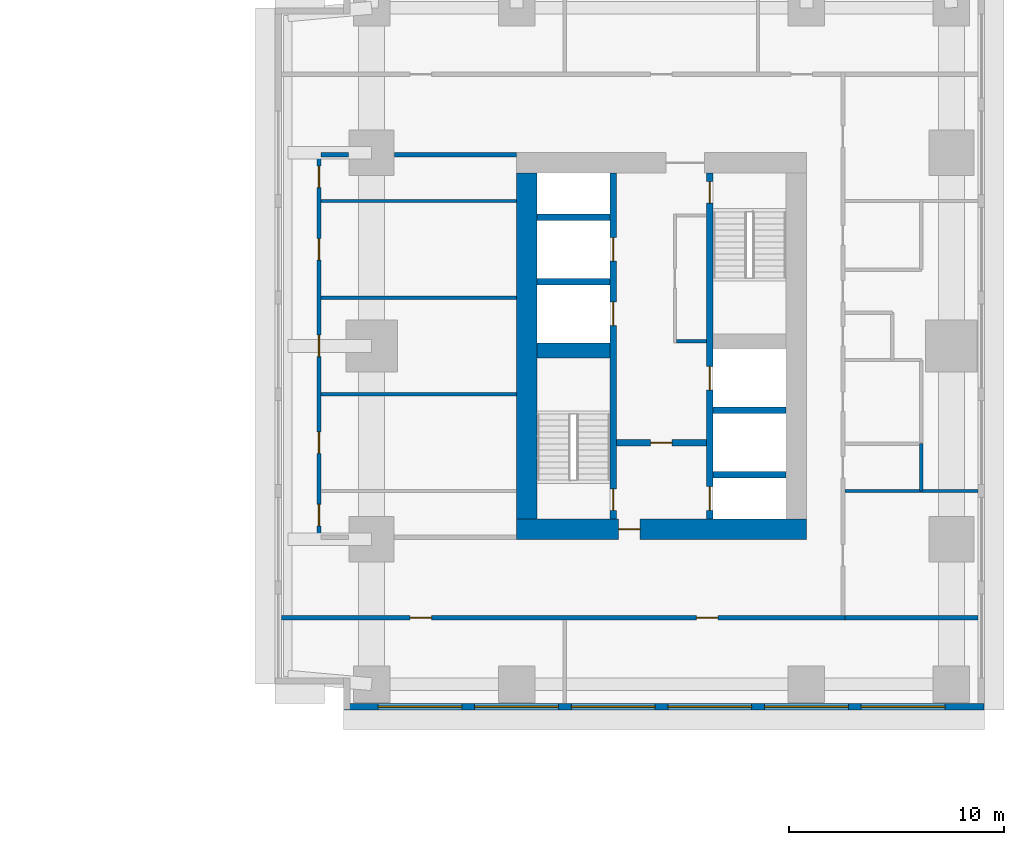
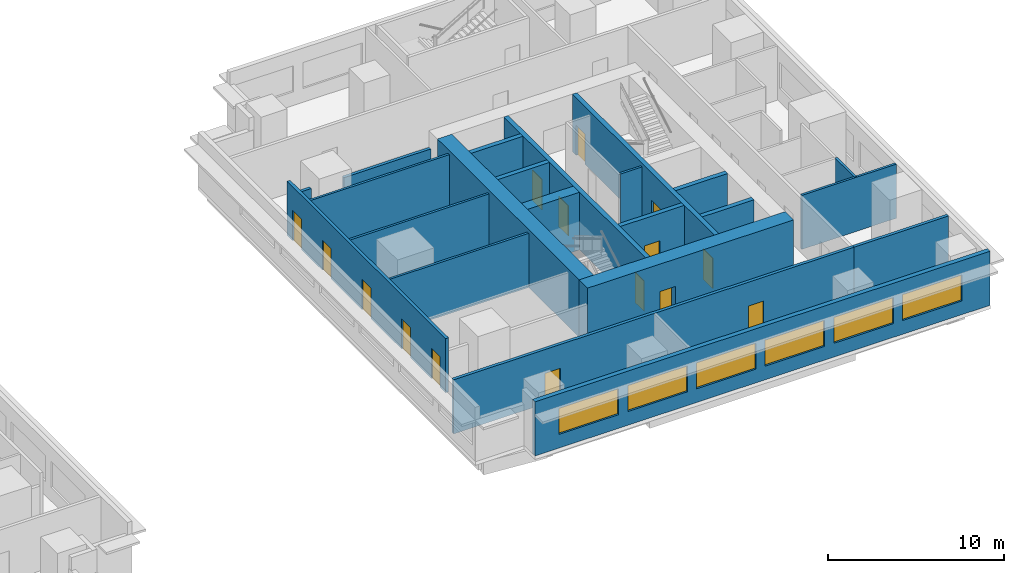
# One storey, part 6 of 11: 22 walls, 15 doors, 6 windows, 21 openings.
"""IFC4 building model written with IfcOpenShell, lengths in metres."""

from ifc_helpers import new_model, si_unit, direction, frame, frame_2d, origin, place, context, subcontext, project, spatial, rectangle, extrude, material, layer, layer_set, type_object, element, fill, save


model = new_model("IFC4")

# Units and contexts
model_context = context("Model", 3, precision=1e-05, world=origin(), true_north=direction((0.0, 1.0)))
body_context = subcontext(model_context, "Body", "Model", "MODEL_VIEW")
ifc_project = project(units=[si_unit("LENGTHUNIT", "METRE"), si_unit("AREAUNIT", "SQUARE_METRE"), si_unit("VOLUMEUNIT", "CUBIC_METRE"), si_unit("PLANEANGLEUNIT", "RADIAN"), si_unit("MASSUNIT", "GRAM", prefix="KILO")], contexts=[model_context])

# Site, building, storey
site_placement = place(None, origin())
site = spatial("IfcSite", under=ifc_project, at=site_placement, CompositionType="ELEMENT")
building_placement = place(site_placement, origin())
building = spatial("IfcBuilding", under=site, at=building_placement, Name="Namib Vertical Campus", CompositionType="ELEMENT")
storey_placement = place(building_placement, frame((0.0, 0.0, 85.0)))
storey = spatial("IfcBuildingStorey", under=building, at=storey_placement, Name="L19", CompositionType="ELEMENT", Elevation=85.0)

# Wall, openings, doors
ifc_material_1 = material(Name="Concrete C60/75", Category="concrete")
ifc_layer_1 = layer(ifc_material_1, 0.300048828125)
ifc_layer_set_1 = layer_set([ifc_layer_1], Name="Concrete C60/75")
wall_type_1 = type_object("IfcWallType", Name="Core inner wall 300", PredefinedType="SHEAR", material=ifc_layer_set_1)
wall_1_placement = place(storey_placement, frame((78.75, 12.199951171875, 0.0), z_axis=(0.0, 0.0, 1.0), x_axis=(0.0, 1.0, 0.0)))
wall_1 = element("IfcWall", 1, at=wall_1_placement, inside=storey, type_object=wall_type_1, Name="Core inner wall B L19 W1", PredefinedType="SHEAR", context=body_context, shape_type="SweptSolid", body=[
    extrude(rectangle(XDim=16.10009765625, YDim=0.300048828125, at=frame_2d((8.050048828125, 0.0))), origin(), (0.0, 0.0, 1.0), 4.0),
])
opening_1_placement = place(wall_1_placement, frame((0.39990234375, 0.0, 0.0)))
opening_1 = element("IfcOpeningElement", 2, at=opening_1_placement, cuts=wall_1, Name="Opening FD1", PredefinedType="OPENING", context=body_context, shape_type="SweptSolid", body=[
    extrude(rectangle(XDim=1.0, YDim=2.10009765625, at=frame_2d((0.5, 1.050048828125))), frame((0.0, 0.159912109375, 0.0), z_axis=(0.0, -1.0, 0.0), x_axis=(1.0, 0.0, 0.0)), (0.0, 0.0, 1.0), 0.320068359375),
])
opening_2_placement = place(wall_1_placement, frame((9.0, 0.0, 0.0)))
opening_2 = element("IfcOpeningElement", 3, at=opening_2_placement, cuts=wall_1, Name="Opening LD1", PredefinedType="OPENING", context=body_context, shape_type="SweptSolid", body=[
    extrude(rectangle(XDim=1.10009765625, YDim=2.10009765625, at=frame_2d((0.550048828125, 1.050048828125))), frame((0.0, 0.159912109375, 0.0), z_axis=(0.0, -1.0, 0.0), x_axis=(1.0, 0.0, 0.0)), (0.0, 0.0, 1.0), 0.320068359375),
])
opening_3_placement = place(wall_1_placement, frame((12.0, 0.0, 0.0)))
opening_3 = element("IfcOpeningElement", 4, at=opening_3_placement, cuts=wall_1, Name="Opening LD1", PredefinedType="OPENING", context=body_context, shape_type="SweptSolid", body=[
    extrude(rectangle(XDim=1.10009765625, YDim=2.10009765625, at=frame_2d((0.550048828125, 1.050048828125))), frame((0.0, 0.159912109375, 0.0), z_axis=(0.0, -1.0, 0.0), x_axis=(1.0, 0.0, 0.0)), (0.0, 0.0, 1.0), 0.320068359375),
])
ifc_material_2 = material(Name="Steel fire door", Category="steel")
door_type_1 = type_object("IfcDoorType", Name="Fire door 1000x2100", OperationType="SINGLE_SWING_RIGHT", PredefinedType="DOOR", material=ifc_material_2)
door_1_placement = place(opening_1_placement, origin())
door_1 = element("IfcDoor", 5, at=door_1_placement, inside=storey, type_object=door_type_1, Name="Stair door FD1 B L19 S1", OperationType="SINGLE_SWING_LEFT", OverallHeight=2.10009765625, OverallWidth=1.0, PredefinedType="DOOR", context=body_context, shape_type="SweptSolid", body=[
    extrude(rectangle(XDim=1.0, YDim=2.10009765625, at=frame_2d((0.5, 1.050048828125))), frame((0.0, 0.02490234375, 0.0), z_axis=(0.0, -1.0, 0.0), x_axis=(1.0, 0.0, 0.0)), (0.0, 0.0, 1.0), 0.050048828125),
])
fill(opening_1, door_1)
ifc_material_3 = material(Name="Stainless steel lift door", Category="steel")
door_type_2 = type_object("IfcDoorType", Name="Lift landing door 1100x2100", OperationType="DOUBLE_DOOR_SLIDING", PredefinedType="DOOR", material=ifc_material_3)
door_2_placement = place(opening_2_placement, origin())
door_2 = element("IfcDoor", 6, at=door_2_placement, inside=storey, type_object=door_type_2, Name="Lift landing door LD1 B-P1 L19", OperationType="DOUBLE_DOOR_SLIDING", OverallHeight=2.10009765625, OverallWidth=1.10009765625, PredefinedType="DOOR", context=body_context, shape_type="SweptSolid", body=[
    extrude(rectangle(XDim=1.10009765625, YDim=2.10009765625, at=frame_2d((0.550048828125, 1.050048828125))), frame((0.0, 0.02490234375, 0.0), z_axis=(0.0, -1.0, 0.0), x_axis=(1.0, 0.0, 0.0)), (0.0, 0.0, 1.0), 0.050048828125),
])
fill(opening_2, door_2)
door_3_placement = place(opening_3_placement, origin())
door_3 = element("IfcDoor", 7, at=door_3_placement, inside=storey, type_object=door_type_2, Name="Lift landing door LD1 B-P2 L19", OperationType="DOUBLE_DOOR_SLIDING", OverallHeight=2.10009765625, OverallWidth=1.10009765625, PredefinedType="DOOR", context=body_context, shape_type="SweptSolid", body=[
    extrude(rectangle(XDim=1.10009765625, YDim=2.10009765625, at=frame_2d((0.550048828125, 1.050048828125))), frame((0.0, 0.02490234375, 0.0), z_axis=(0.0, -1.0, 0.0), x_axis=(1.0, 0.0, 0.0)), (0.0, 0.0, 1.0), 0.050048828125),
])
fill(opening_3, door_3)

wall_2_placement = place(storey_placement, frame((83.25, 12.199951171875, 0.0), z_axis=(0.0, 0.0, 1.0), x_axis=(0.0, 1.0, 0.0)))
wall_2 = element("IfcWall", 8, at=wall_2_placement, inside=storey, type_object=wall_type_1, Name="Core inner wall B L19 W2", PredefinedType="SHEAR", context=body_context, shape_type="SweptSolid", body=[
    extrude(rectangle(XDim=16.10009765625, YDim=0.300048828125, at=frame_2d((8.050048828125, 0.0))), origin(), (0.0, 0.0, 1.0), 4.0),
])
opening_4_placement = place(wall_2_placement, frame((14.699951171875, 0.0, 0.0)))
opening_4 = element("IfcOpeningElement", 9, at=opening_4_placement, cuts=wall_2, Name="Opening FD1", PredefinedType="OPENING", context=body_context, shape_type="SweptSolid", body=[
    extrude(rectangle(XDim=1.0, YDim=2.10009765625, at=frame_2d((0.5, 1.050048828125))), frame((0.0, 0.159912109375, 0.0), z_axis=(0.0, -1.0, 0.0), x_axis=(1.0, 0.0, 0.0)), (0.0, 0.0, 1.0), 0.320068359375),
])
opening_5_placement = place(wall_2_placement, frame((0.39990234375, 0.0, 0.0)))
opening_5 = element("IfcOpeningElement", 10, at=opening_5_placement, cuts=wall_2, Name="Opening LD1", PredefinedType="OPENING", context=body_context, shape_type="SweptSolid", body=[
    extrude(rectangle(XDim=1.10009765625, YDim=2.10009765625, at=frame_2d((0.550048828125, 1.050048828125))), frame((0.0, 0.159912109375, 0.0), z_axis=(0.0, -1.0, 0.0), x_axis=(1.0, 0.0, 0.0)), (0.0, 0.0, 1.0), 0.320068359375),
])
opening_6_placement = place(wall_2_placement, frame((6.0, 0.0, 0.0)))
opening_6 = element("IfcOpeningElement", 11, at=opening_6_placement, cuts=wall_2, Name="Opening LD1", PredefinedType="OPENING", context=body_context, shape_type="SweptSolid", body=[
    extrude(rectangle(XDim=1.10009765625, YDim=2.10009765625, at=frame_2d((0.550048828125, 1.050048828125))), frame((0.0, 0.159912109375, 0.0), z_axis=(0.0, -1.0, 0.0), x_axis=(1.0, 0.0, 0.0)), (0.0, 0.0, 1.0), 0.320068359375),
])
door_4_placement = place(opening_4_placement, frame((1.0, 0.0, 0.0), z_axis=(0.0, 0.0, 1.0), x_axis=(-1.0, 0.0, 0.0)))
door_4 = element("IfcDoor", 12, at=door_4_placement, inside=storey, type_object=door_type_1, Name="Stair door FD1 B L19 S2", OperationType="SINGLE_SWING_LEFT", OverallHeight=2.10009765625, OverallWidth=1.0, PredefinedType="DOOR", context=body_context, shape_type="SweptSolid", body=[
    extrude(rectangle(XDim=1.0, YDim=2.10009765625, at=frame_2d((0.5, 1.050048828125))), frame((0.0, 0.02490234375, 0.0), z_axis=(0.0, -1.0, 0.0), x_axis=(1.0, 0.0, 0.0)), (0.0, 0.0, 1.0), 0.050048828125),
])
fill(opening_4, door_4)
door_5_placement = place(opening_5_placement, origin())
door_5 = element("IfcDoor", 13, at=door_5_placement, inside=storey, type_object=door_type_2, Name="Lift landing door LD1 B-FL1 L19", OperationType="DOUBLE_DOOR_SLIDING", OverallHeight=2.10009765625, OverallWidth=1.10009765625, PredefinedType="DOOR", context=body_context, shape_type="SweptSolid", body=[
    extrude(rectangle(XDim=1.10009765625, YDim=2.10009765625, at=frame_2d((0.550048828125, 1.050048828125))), frame((0.0, 0.02490234375, 0.0), z_axis=(0.0, -1.0, 0.0), x_axis=(1.0, 0.0, 0.0)), (0.0, 0.0, 1.0), 0.050048828125),
])
fill(opening_5, door_5)
door_6_placement = place(opening_6_placement, origin())
door_6 = element("IfcDoor", 14, at=door_6_placement, inside=storey, type_object=door_type_2, Name="Lift landing door LD1 B-P5 L19", OperationType="DOUBLE_DOOR_SLIDING", OverallHeight=2.10009765625, OverallWidth=1.10009765625, PredefinedType="DOOR", context=body_context, shape_type="SweptSolid", body=[
    extrude(rectangle(XDim=1.10009765625, YDim=2.10009765625, at=frame_2d((0.550048828125, 1.050048828125))), frame((0.0, 0.02490234375, 0.0), z_axis=(0.0, -1.0, 0.0), x_axis=(1.0, 0.0, 0.0)), (0.0, 0.0, 1.0), 0.050048828125),
])
fill(opening_6, door_6)

# Wall, opening, door
wall_3_placement = place(storey_placement, frame((78.89990234375, 15.75, 0.0), z_axis=(0.0, 0.0, 1.0), x_axis=(1.0, 0.0, 0.0)))
wall_3 = element("IfcWall", 15, at=wall_3_placement, inside=storey, type_object=wall_type_1, Name="Core inner wall B L19 W4", PredefinedType="SHEAR", context=body_context, shape_type="SweptSolid", body=[
    extrude(rectangle(XDim=4.2001953125, YDim=0.300048828125, at=frame_2d((2.10009765625, 0.0))), origin(), (0.0, 0.0, 1.0), 4.0),
])
opening_7_placement = place(wall_3_placement, frame((1.60009765625, 0.0, 0.0)))
opening_7 = element("IfcOpeningElement", 16, at=opening_7_placement, cuts=wall_3, Name="Opening FD5", PredefinedType="OPENING", context=body_context, shape_type="SweptSolid", body=[
    extrude(rectangle(XDim=1.0, YDim=2.10009765625, at=frame_2d((0.5, 1.050048828125))), frame((0.0, 0.159912109375, 0.0), z_axis=(0.0, -1.0, 0.0), x_axis=(1.0, 0.0, 0.0)), (0.0, 0.0, 1.0), 0.320068359375),
])
ifc_material_4 = material(Name="Steel fire door", Category="steel")
door_type_3 = type_object("IfcDoorType", Name="Fire door 1000x2100 120 min", OperationType="SINGLE_SWING_RIGHT", PredefinedType="DOOR", material=ifc_material_4)
door_7_placement = place(opening_7_placement, frame((1.0, 0.0, 0.0), z_axis=(0.0, 0.0, 1.0), x_axis=(-1.0, 0.0, 0.0)))
door_7 = element("IfcDoor", 17, at=door_7_placement, inside=storey, type_object=door_type_3, Name="Lobby door FD5 B L19", OperationType="SINGLE_SWING_RIGHT", OverallHeight=2.10009765625, OverallWidth=1.0, PredefinedType="DOOR", context=body_context, shape_type="SweptSolid", body=[
    extrude(rectangle(XDim=1.0, YDim=2.10009765625, at=frame_2d((0.5, 1.050048828125))), frame((0.0, 0.02490234375, 0.0), z_axis=(0.0, -1.0, 0.0), x_axis=(1.0, 0.0, 0.0)), (0.0, 0.0, 1.0), 0.050048828125),
])
fill(opening_7, door_7)

# Walls
for number, where, z_axis, x_axis, name in (
    (18, (83.39990234375, 14.25, 0.0), (0.0, 0.0, 1.0), (1.0, 0.0, 0.0), "Core inner wall B L19 W5"),
    (19, (83.39990234375, 17.25, 0.0), (0.0, 0.0, 1.0), (1.0, 0.0, 0.0), "Core inner wall B L19 W6"),
    (20, (75.199951171875, 23.25, 0.0), (0.0, 0.0, 1.0), (1.0, 0.0, 0.0), "Core inner wall B L19 W8"),
    (21, (75.199951171875, 26.25, 0.0), (0.0, 0.0, 1.0), (1.0, 0.0, 0.0), "Core inner wall B L19 W9"),
):
    element("IfcWall", number, at=place(storey_placement, frame(where, z_axis=z_axis, x_axis=x_axis)), inside=storey, type_object=wall_type_1, Name=name, PredefinedType="SHEAR", context=body_context, shape_type="SweptSolid", body=[
        extrude(rectangle(XDim=3.400146484375, YDim=0.300048828125, at=frame_2d((1.7001953125, 0.0))), origin(), (0.0, 0.0, 1.0), 4.0),
    ])
ifc_material_5 = material(Name="Concrete C60/75", Category="concrete")
ifc_layer_2 = layer(ifc_material_5, 0.699951171875)
ifc_layer_set_2 = layer_set([ifc_layer_2], Name="Concrete C60/75")
wall_type_2 = type_object("IfcWallType", Name="Core shear wall 700", PredefinedType="SHEAR", material=ifc_layer_set_2)
wall_4_placement = place(storey_placement, frame((75.199951171875, 20.050048828125, 0.0), z_axis=(0.0, 0.0, 1.0), x_axis=(1.0, 0.0, 0.0)))
element("IfcWall", 22, at=wall_4_placement, inside=storey, type_object=wall_type_2, Name="Core shear wall B L19 W3", PredefinedType="SHEAR", context=body_context, shape_type="SweptSolid", body=[
    extrude(rectangle(XDim=3.400146484375, YDim=0.699951171875, at=frame_2d((1.7001953125, 0.0))), origin(), (0.0, 0.0, 1.0), 4.0),
])

# Wall, opening, door
ifc_material_6 = material(Name="Concrete C60/75", Category="concrete")
ifc_layer_3 = layer(ifc_material_6, 0.949951171875)
ifc_layer_set_3 = layer_set([ifc_layer_3], Name="Concrete C60/75")
wall_type_3 = type_object("IfcWallType", Name="Core wall 950", PredefinedType="SHEAR", material=ifc_layer_set_3)
wall_5_placement = place(storey_placement, frame((74.25, 11.72509765625, 0.0), z_axis=(0.0, 0.0, 1.0), x_axis=(1.0, 0.0, 0.0)))
wall_5 = element("IfcWall", 23, at=wall_5_placement, inside=storey, type_object=wall_type_3, Name="Core wall B L19 1", PredefinedType="SHEAR", context=body_context, shape_type="SweptSolid", body=[
    extrude(rectangle(XDim=13.5, YDim=0.949951171875, at=frame_2d((6.75, 0.0))), origin(), (0.0, 0.0, 1.0), 4.0),
])
opening_8_placement = place(wall_5_placement, frame((4.75, 0.0, 0.0)))
opening_8 = element("IfcOpeningElement", 24, at=opening_8_placement, cuts=wall_5, Name="Opening FD5", PredefinedType="OPENING", context=body_context, shape_type="SweptSolid", body=[
    extrude(rectangle(XDim=1.0, YDim=2.10009765625, at=frame_2d((0.5, 1.050048828125))), frame((0.0, 0.48486328125, 0.0), z_axis=(0.0, -1.0, 0.0), x_axis=(1.0, 0.0, 0.0)), (0.0, 0.0, 1.0), 0.969970703125),
])
door_8_placement = place(opening_8_placement, origin())
door_8 = element("IfcDoor", 25, at=door_8_placement, inside=storey, type_object=door_type_3, Name="Firefighting lobby door FD5 B L19", OperationType="SINGLE_SWING_LEFT", OverallHeight=2.10009765625, OverallWidth=1.0, PredefinedType="DOOR", context=body_context, shape_type="SweptSolid", body=[
    extrude(rectangle(XDim=1.0, YDim=2.10009765625, at=frame_2d((0.5, 1.050048828125))), frame((0.0, 0.02490234375, 0.0), z_axis=(0.0, -1.0, 0.0), x_axis=(1.0, 0.0, 0.0)), (0.0, 0.0, 1.0), 0.050048828125),
])
fill(opening_8, door_8)

# Wall
wall_6_placement = place(storey_placement, frame((74.72509765625, 28.300048828125, 0.0), z_axis=(0.0, 0.0, 1.0), x_axis=(0.0, -1.0, 0.0)))
element("IfcWall", 26, at=wall_6_placement, inside=storey, type_object=wall_type_3, Name="Core wall B L19 4", PredefinedType="SHEAR", context=body_context, shape_type="SweptSolid", body=[
    extrude(rectangle(XDim=16.10009765625, YDim=0.949951171875, at=frame_2d((8.050048828125, 0.0))), origin(), (0.0, 0.0, 1.0), 4.0),
])

# Wall, openings, doors
ifc_material_7 = material(Name="Concrete masonry", Category="masonry")
ifc_layer_4 = layer(ifc_material_7, 0.199951171875)
ifc_layer_set_4 = layer_set([ifc_layer_4], Name="Corridor wall 200")
wall_type_4 = type_object("IfcWallType", Name="Corridor wall 200", PredefinedType="SOLIDWALL", material=ifc_layer_set_4)
wall_7_placement = place(storey_placement, frame((63.300048828125, 7.60009765625, 0.0), z_axis=(0.0, 0.0, 1.0), x_axis=(1.0, 0.0, 0.0)))
wall_7 = element("IfcWall", 27, at=wall_7_placement, inside=storey, type_object=wall_type_4, Name="Corridor wall B L19 CS", PredefinedType="SOLIDWALL", context=body_context, shape_type="SweptSolid", body=[
    extrude(rectangle(XDim=26.25, YDim=0.199951171875, at=frame_2d((13.125, 0.0))), origin(), (0.0, 0.0, 1.0), 3.75),
])
opening_9_placement = place(wall_7_placement, frame((6.0, 0.0, 0.0)))
opening_9 = element("IfcOpeningElement", 28, at=opening_9_placement, cuts=wall_7, Name="Opening CD1", PredefinedType="OPENING", context=body_context, shape_type="SweptSolid", body=[
    extrude(rectangle(XDim=1.0, YDim=2.10009765625, at=frame_2d((0.5, 1.050048828125))), frame((0.0, 0.10986328125, 0.0), z_axis=(0.0, -1.0, 0.0), x_axis=(1.0, 0.0, 0.0)), (0.0, 0.0, 1.0), 0.219970703125),
])
opening_10_placement = place(wall_7_placement, frame((19.324951171875, 0.0, 0.0)))
opening_10 = element("IfcOpeningElement", 29, at=opening_10_placement, cuts=wall_7, Name="Opening CD1", PredefinedType="OPENING", context=body_context, shape_type="SweptSolid", body=[
    extrude(rectangle(XDim=1.0, YDim=2.10009765625, at=frame_2d((0.5, 1.050048828125))), frame((0.0, 0.10986328125, 0.0), z_axis=(0.0, -1.0, 0.0), x_axis=(1.0, 0.0, 0.0)), (0.0, 0.0, 1.0), 0.219970703125),
])
ifc_material_8 = material(Name="Timber fire door leaf", Category="wood")
door_type_4 = type_object("IfcDoorType", Name="Corridor door 1000x2100 20 min", OperationType="SINGLE_SWING_LEFT", PredefinedType="DOOR", material=ifc_material_8)
door_9_placement = place(opening_9_placement, frame((1.0, 0.0, 0.0), z_axis=(0.0, 0.0, 1.0), x_axis=(-1.0, 0.0, 0.0)))
door_9 = element("IfcDoor", 30, at=door_9_placement, inside=storey, type_object=door_type_4, Name="Door CD1 B19-01", OperationType="SINGLE_SWING_LEFT", OverallHeight=2.10009765625, OverallWidth=1.0, PredefinedType="DOOR", context=body_context, shape_type="SweptSolid", body=[
    extrude(rectangle(XDim=1.0, YDim=2.10009765625, at=frame_2d((0.5, 1.050048828125))), frame((0.0, 0.02490234375, 0.0), z_axis=(0.0, -1.0, 0.0), x_axis=(1.0, 0.0, 0.0)), (0.0, 0.0, 1.0), 0.050048828125),
])
fill(opening_9, door_9)
door_10_placement = place(opening_10_placement, frame((1.0, 0.0, 0.0), z_axis=(0.0, 0.0, 1.0), x_axis=(-1.0, 0.0, 0.0)))
door_10 = element("IfcDoor", 31, at=door_10_placement, inside=storey, type_object=door_type_4, Name="Door CD1 B19-02", OperationType="SINGLE_SWING_RIGHT", OverallHeight=2.10009765625, OverallWidth=1.0, PredefinedType="DOOR", context=body_context, shape_type="SweptSolid", body=[
    extrude(rectangle(XDim=1.0, YDim=2.10009765625, at=frame_2d((0.5, 1.050048828125))), frame((0.0, 0.02490234375, 0.0), z_axis=(0.0, -1.0, 0.0), x_axis=(1.0, 0.0, 0.0)), (0.0, 0.0, 1.0), 0.050048828125),
])
fill(opening_10, door_10)

wall_8_placement = place(storey_placement, frame((65.050048828125, 29.25, 0.0), z_axis=(0.0, 0.0, 1.0), x_axis=(0.0, -1.0, 0.0)))
wall_8 = element("IfcWall", 32, at=wall_8_placement, inside=storey, type_object=wall_type_4, Name="Corridor wall B L19 CG", PredefinedType="SOLIDWALL", context=body_context, shape_type="SweptSolid", body=[
    extrude(rectangle(XDim=18.0, YDim=0.199951171875, at=frame_2d((9.0, 0.0))), origin(), (0.0, 0.0, 1.0), 3.75),
])
opening_11_placement = place(wall_8_placement, frame((16.375, 0.0, 0.0)))
opening_11 = element("IfcOpeningElement", 33, at=opening_11_placement, cuts=wall_8, Name="Opening CD1", PredefinedType="OPENING", context=body_context, shape_type="SweptSolid", body=[
    extrude(rectangle(XDim=1.0, YDim=2.10009765625, at=frame_2d((0.5, 1.050048828125))), frame((0.0, 0.10986328125, 0.0), z_axis=(0.0, -1.0, 0.0), x_axis=(1.0, 0.0, 0.0)), (0.0, 0.0, 1.0), 0.219970703125),
])
opening_12_placement = place(wall_8_placement, frame((13.0, 0.0, 0.0)))
opening_12 = element("IfcOpeningElement", 34, at=opening_12_placement, cuts=wall_8, Name="Opening CD1", PredefinedType="OPENING", context=body_context, shape_type="SweptSolid", body=[
    extrude(rectangle(XDim=1.0, YDim=2.10009765625, at=frame_2d((0.5, 1.050048828125))), frame((0.0, 0.10986328125, 0.0), z_axis=(0.0, -1.0, 0.0), x_axis=(1.0, 0.0, 0.0)), (0.0, 0.0, 1.0), 0.219970703125),
])
opening_13_placement = place(wall_8_placement, frame((8.5, 0.0, 0.0)))
opening_13 = element("IfcOpeningElement", 35, at=opening_13_placement, cuts=wall_8, Name="Opening CD1", PredefinedType="OPENING", context=body_context, shape_type="SweptSolid", body=[
    extrude(rectangle(XDim=1.0, YDim=2.10009765625, at=frame_2d((0.5, 1.050048828125))), frame((0.0, 0.10986328125, 0.0), z_axis=(0.0, -1.0, 0.0), x_axis=(1.0, 0.0, 0.0)), (0.0, 0.0, 1.0), 0.219970703125),
])
opening_14_placement = place(wall_8_placement, frame((4.0, 0.0, 0.0)))
opening_14 = element("IfcOpeningElement", 36, at=opening_14_placement, cuts=wall_8, Name="Opening CD1", PredefinedType="OPENING", context=body_context, shape_type="SweptSolid", body=[
    extrude(rectangle(XDim=1.0, YDim=2.10009765625, at=frame_2d((0.5, 1.050048828125))), frame((0.0, 0.10986328125, 0.0), z_axis=(0.0, -1.0, 0.0), x_axis=(1.0, 0.0, 0.0)), (0.0, 0.0, 1.0), 0.219970703125),
])
opening_15_placement = place(wall_8_placement, frame((0.625, 0.0, 0.0)))
opening_15 = element("IfcOpeningElement", 37, at=opening_15_placement, cuts=wall_8, Name="Opening CD1", PredefinedType="OPENING", context=body_context, shape_type="SweptSolid", body=[
    extrude(rectangle(XDim=1.0, YDim=2.10009765625, at=frame_2d((0.5, 1.050048828125))), frame((0.0, 0.10986328125, 0.0), z_axis=(0.0, -1.0, 0.0), x_axis=(1.0, 0.0, 0.0)), (0.0, 0.0, 1.0), 0.219970703125),
])
door_11_placement = place(opening_11_placement, origin())
door_11 = element("IfcDoor", 38, at=door_11_placement, inside=storey, type_object=door_type_4, Name="Door CD1 B19-13", OperationType="SINGLE_SWING_LEFT", OverallHeight=2.10009765625, OverallWidth=1.0, PredefinedType="DOOR", context=body_context, shape_type="SweptSolid", body=[
    extrude(rectangle(XDim=1.0, YDim=2.10009765625, at=frame_2d((0.5, 1.050048828125))), frame((0.0, 0.02490234375, 0.0), z_axis=(0.0, -1.0, 0.0), x_axis=(1.0, 0.0, 0.0)), (0.0, 0.0, 1.0), 0.050048828125),
])
fill(opening_11, door_11)
door_12_placement = place(opening_12_placement, origin())
door_12 = element("IfcDoor", 39, at=door_12_placement, inside=storey, type_object=door_type_4, Name="Door CD1 B19-14", OperationType="SINGLE_SWING_LEFT", OverallHeight=2.10009765625, OverallWidth=1.0, PredefinedType="DOOR", context=body_context, shape_type="SweptSolid", body=[
    extrude(rectangle(XDim=1.0, YDim=2.10009765625, at=frame_2d((0.5, 1.050048828125))), frame((0.0, 0.02490234375, 0.0), z_axis=(0.0, -1.0, 0.0), x_axis=(1.0, 0.0, 0.0)), (0.0, 0.0, 1.0), 0.050048828125),
])
fill(opening_12, door_12)
door_13_placement = place(opening_13_placement, origin())
door_13 = element("IfcDoor", 40, at=door_13_placement, inside=storey, type_object=door_type_4, Name="Door CD1 B19-15", OperationType="SINGLE_SWING_LEFT", OverallHeight=2.10009765625, OverallWidth=1.0, PredefinedType="DOOR", context=body_context, shape_type="SweptSolid", body=[
    extrude(rectangle(XDim=1.0, YDim=2.10009765625, at=frame_2d((0.5, 1.050048828125))), frame((0.0, 0.02490234375, 0.0), z_axis=(0.0, -1.0, 0.0), x_axis=(1.0, 0.0, 0.0)), (0.0, 0.0, 1.0), 0.050048828125),
])
fill(opening_13, door_13)
door_14_placement = place(opening_14_placement, origin())
door_14 = element("IfcDoor", 41, at=door_14_placement, inside=storey, type_object=door_type_4, Name="Door CD1 B19-16", OperationType="SINGLE_SWING_LEFT", OverallHeight=2.10009765625, OverallWidth=1.0, PredefinedType="DOOR", context=body_context, shape_type="SweptSolid", body=[
    extrude(rectangle(XDim=1.0, YDim=2.10009765625, at=frame_2d((0.5, 1.050048828125))), frame((0.0, 0.02490234375, 0.0), z_axis=(0.0, -1.0, 0.0), x_axis=(1.0, 0.0, 0.0)), (0.0, 0.0, 1.0), 0.050048828125),
])
fill(opening_14, door_14)
door_15_placement = place(opening_15_placement, origin())
door_15 = element("IfcDoor", 42, at=door_15_placement, inside=storey, type_object=door_type_4, Name="Door CD1 B19-17", OperationType="SINGLE_SWING_LEFT", OverallHeight=2.10009765625, OverallWidth=1.0, PredefinedType="DOOR", context=body_context, shape_type="SweptSolid", body=[
    extrude(rectangle(XDim=1.0, YDim=2.10009765625, at=frame_2d((0.5, 1.050048828125))), frame((0.0, 0.02490234375, 0.0), z_axis=(0.0, -1.0, 0.0), x_axis=(1.0, 0.0, 0.0)), (0.0, 0.0, 1.0), 0.050048828125),
])
fill(opening_15, door_15)

# Walls
wall_9_placement = place(storey_placement, frame((65.14990234375, 29.14990234375, 0.0), z_axis=(0.0, 0.0, 1.0), x_axis=(1.0, 0.0, 0.0)))
element("IfcWall", 43, at=wall_9_placement, inside=storey, type_object=wall_type_4, Name="Corridor wall B L19 GN", PredefinedType="SOLIDWALL", context=body_context, shape_type="SweptSolid", body=[
    extrude(rectangle(XDim=1.280029296875, YDim=0.199951171875, at=frame_2d((0.64013671875, 0.0))), origin(), (0.0, 0.0, 1.0), 2.85009765625),
])
wall_10_placement = place(storey_placement, frame((68.570068359375, 29.14990234375, 0.0), z_axis=(0.0, 0.0, 1.0), x_axis=(1.0, 0.0, 0.0)))
element("IfcWall", 44, at=wall_10_placement, inside=storey, type_object=wall_type_4, Name="Corridor wall B L19 GN", PredefinedType="SOLIDWALL", context=body_context, shape_type="SweptSolid", body=[
    extrude(rectangle(XDim=5.679931640625, YDim=0.199951171875, at=frame_2d((2.83984375, 0.0))), origin(), (0.0, 0.0, 1.0), 2.85009765625),
])
wall_11_placement = place(storey_placement, frame((89.550048828125, 7.60009765625, 0.0), z_axis=(0.0, 0.0, 1.0), x_axis=(1.0, 0.0, 0.0)))
element("IfcWall", 45, at=wall_11_placement, inside=storey, type_object=wall_type_4, Name="Partition B L19 BSE", PredefinedType="SOLIDWALL", context=body_context, shape_type="SweptSolid", body=[
    extrude(rectangle(XDim=6.199951171875, YDim=0.199951171875, at=frame_2d((3.10009765625, 0.0))), origin(), (0.0, 0.0, 1.0), 3.75),
])

# Wall, openings, windows
ifc_material_9 = material(Name="Concrete C40/50", Category="concrete")
ifc_layer_5 = layer(ifc_material_9, 0.300048828125)
ifc_layer_set_5 = layer_set([ifc_layer_5], Name="Concrete C40/50")
wall_type_5 = type_object("IfcWallType", Name="External wall 300 board-marked concrete", PredefinedType="STANDARD", material=ifc_layer_set_5)
wall_12_placement = place(storey_placement, frame((66.219970703125, 3.449951171875, 0.0), z_axis=(0.0, 0.0, 1.0), x_axis=(1.0, 0.0, 0.0)))
wall_12 = element("IfcWall", 46, at=wall_12_placement, inside=storey, type_object=wall_type_5, Name="External wall L19 F03", PredefinedType="STANDARD", context=body_context, shape_type="SweptSolid", body=[
    extrude(rectangle(XDim=29.81005859375, YDim=0.300048828125, at=frame_2d((14.905029296875, 0.0))), origin(), (0.0, 0.0, 1.0), 3.75),
])
opening_16_placement = place(wall_12_placement, frame((1.580078125, 0.0, 0.949951171875)))
opening_16 = element("IfcOpeningElement", 47, at=opening_16_placement, cuts=wall_12, Name="Opening W3", PredefinedType="OPENING", context=body_context, shape_type="SweptSolid", body=[
    extrude(rectangle(XDim=3.89990234375, YDim=1.800048828125, at=frame_2d((1.949951171875, 0.89990234375))), frame((0.0, 0.159912109375, 0.0), z_axis=(0.0, -1.0, 0.0), x_axis=(1.0, 0.0, 0.0)), (0.0, 0.0, 1.0), 0.320068359375),
])
opening_17_placement = place(wall_12_placement, frame((6.080078125, 0.0, 0.949951171875)))
opening_17 = element("IfcOpeningElement", 48, at=opening_17_placement, cuts=wall_12, Name="Opening W3", PredefinedType="OPENING", context=body_context, shape_type="SweptSolid", body=[
    extrude(rectangle(XDim=3.89990234375, YDim=1.800048828125, at=frame_2d((1.949951171875, 0.89990234375))), frame((0.0, 0.159912109375, 0.0), z_axis=(0.0, -1.0, 0.0), x_axis=(1.0, 0.0, 0.0)), (0.0, 0.0, 1.0), 0.320068359375),
])
opening_18_placement = place(wall_12_placement, frame((10.580078125, 0.0, 0.949951171875)))
opening_18 = element("IfcOpeningElement", 49, at=opening_18_placement, cuts=wall_12, Name="Opening W3", PredefinedType="OPENING", context=body_context, shape_type="SweptSolid", body=[
    extrude(rectangle(XDim=3.89990234375, YDim=1.800048828125, at=frame_2d((1.949951171875, 0.89990234375))), frame((0.0, 0.159912109375, 0.0), z_axis=(0.0, -1.0, 0.0), x_axis=(1.0, 0.0, 0.0)), (0.0, 0.0, 1.0), 0.320068359375),
])
opening_19_placement = place(wall_12_placement, frame((15.080078125, 0.0, 0.949951171875)))
opening_19 = element("IfcOpeningElement", 50, at=opening_19_placement, cuts=wall_12, Name="Opening W3", PredefinedType="OPENING", context=body_context, shape_type="SweptSolid", body=[
    extrude(rectangle(XDim=3.89990234375, YDim=1.800048828125, at=frame_2d((1.949951171875, 0.89990234375))), frame((0.0, 0.159912109375, 0.0), z_axis=(0.0, -1.0, 0.0), x_axis=(1.0, 0.0, 0.0)), (0.0, 0.0, 1.0), 0.320068359375),
])
opening_20_placement = place(wall_12_placement, frame((19.580078125, 0.0, 0.949951171875)))
opening_20 = element("IfcOpeningElement", 51, at=opening_20_placement, cuts=wall_12, Name="Opening W3", PredefinedType="OPENING", context=body_context, shape_type="SweptSolid", body=[
    extrude(rectangle(XDim=3.89990234375, YDim=1.800048828125, at=frame_2d((1.949951171875, 0.89990234375))), frame((0.0, 0.159912109375, 0.0), z_axis=(0.0, -1.0, 0.0), x_axis=(1.0, 0.0, 0.0)), (0.0, 0.0, 1.0), 0.320068359375),
])
opening_21_placement = place(wall_12_placement, frame((24.080078125, 0.0, 0.949951171875)))
opening_21 = element("IfcOpeningElement", 52, at=opening_21_placement, cuts=wall_12, Name="Opening W3", PredefinedType="OPENING", context=body_context, shape_type="SweptSolid", body=[
    extrude(rectangle(XDim=3.89990234375, YDim=1.800048828125, at=frame_2d((1.949951171875, 0.89990234375))), frame((0.0, 0.159912109375, 0.0), z_axis=(0.0, -1.0, 0.0), x_axis=(1.0, 0.0, 0.0)), (0.0, 0.0, 1.0), 0.320068359375),
])
ifc_material_10 = material(Name="Dark tinted glass in black aluminium frame", Category="aluminium")
window_type = type_object("IfcWindowType", Name="Ribbon window 3900x1800", PartitioningType="SINGLE_PANEL", PredefinedType="WINDOW", material=ifc_material_10)
window_1_placement = place(opening_16_placement, origin())
window_1 = element("IfcWindow", 53, at=window_1_placement, inside=storey, type_object=window_type, Name="Window W3 L19 F03-1", OverallHeight=1.800048828125, OverallWidth=3.89990234375, PartitioningType="SINGLE_PANEL", PredefinedType="WINDOW", context=body_context, shape_type="SweptSolid", body=[
    extrude(rectangle(XDim=3.89990234375, YDim=1.800048828125, at=frame_2d((1.949951171875, 0.89990234375))), frame((0.0, 0.030029296875, 0.0), z_axis=(0.0, -1.0, 0.0), x_axis=(1.0, 0.0, 0.0)), (0.0, 0.0, 1.0), 0.06005859375),
])
fill(opening_16, window_1)
window_2_placement = place(opening_17_placement, origin())
window_2 = element("IfcWindow", 54, at=window_2_placement, inside=storey, type_object=window_type, Name="Window W3 L19 F03-2", OverallHeight=1.800048828125, OverallWidth=3.89990234375, PartitioningType="SINGLE_PANEL", PredefinedType="WINDOW", context=body_context, shape_type="SweptSolid", body=[
    extrude(rectangle(XDim=3.89990234375, YDim=1.800048828125, at=frame_2d((1.949951171875, 0.89990234375))), frame((0.0, 0.030029296875, 0.0), z_axis=(0.0, -1.0, 0.0), x_axis=(1.0, 0.0, 0.0)), (0.0, 0.0, 1.0), 0.06005859375),
])
fill(opening_17, window_2)
window_3_placement = place(opening_18_placement, origin())
window_3 = element("IfcWindow", 55, at=window_3_placement, inside=storey, type_object=window_type, Name="Window W3 L19 F03-3", OverallHeight=1.800048828125, OverallWidth=3.89990234375, PartitioningType="SINGLE_PANEL", PredefinedType="WINDOW", context=body_context, shape_type="SweptSolid", body=[
    extrude(rectangle(XDim=3.89990234375, YDim=1.800048828125, at=frame_2d((1.949951171875, 0.89990234375))), frame((0.0, 0.030029296875, 0.0), z_axis=(0.0, -1.0, 0.0), x_axis=(1.0, 0.0, 0.0)), (0.0, 0.0, 1.0), 0.06005859375),
])
fill(opening_18, window_3)
window_4_placement = place(opening_19_placement, origin())
window_4 = element("IfcWindow", 56, at=window_4_placement, inside=storey, type_object=window_type, Name="Window W3 L19 F03-4", OverallHeight=1.800048828125, OverallWidth=3.89990234375, PartitioningType="SINGLE_PANEL", PredefinedType="WINDOW", context=body_context, shape_type="SweptSolid", body=[
    extrude(rectangle(XDim=3.89990234375, YDim=1.800048828125, at=frame_2d((1.949951171875, 0.89990234375))), frame((0.0, 0.030029296875, 0.0), z_axis=(0.0, -1.0, 0.0), x_axis=(1.0, 0.0, 0.0)), (0.0, 0.0, 1.0), 0.06005859375),
])
fill(opening_19, window_4)
window_5_placement = place(opening_20_placement, origin())
window_5 = element("IfcWindow", 57, at=window_5_placement, inside=storey, type_object=window_type, Name="Window W3 L19 F03-5", OverallHeight=1.800048828125, OverallWidth=3.89990234375, PartitioningType="SINGLE_PANEL", PredefinedType="WINDOW", context=body_context, shape_type="SweptSolid", body=[
    extrude(rectangle(XDim=3.89990234375, YDim=1.800048828125, at=frame_2d((1.949951171875, 0.89990234375))), frame((0.0, 0.030029296875, 0.0), z_axis=(0.0, -1.0, 0.0), x_axis=(1.0, 0.0, 0.0)), (0.0, 0.0, 1.0), 0.06005859375),
])
fill(opening_20, window_5)
window_6_placement = place(opening_21_placement, origin())
window_6 = element("IfcWindow", 58, at=window_6_placement, inside=storey, type_object=window_type, Name="Window W3 L19 F03-6", OverallHeight=1.800048828125, OverallWidth=3.89990234375, PartitioningType="SINGLE_PANEL", PredefinedType="WINDOW", context=body_context, shape_type="SweptSolid", body=[
    extrude(rectangle(XDim=3.89990234375, YDim=1.800048828125, at=frame_2d((1.949951171875, 0.89990234375))), frame((0.0, 0.030029296875, 0.0), z_axis=(0.0, -1.0, 0.0), x_axis=(1.0, 0.0, 0.0)), (0.0, 0.0, 1.0), 0.06005859375),
])
fill(opening_21, window_6)

# Walls
ifc_material_11 = material(Name="Gypsum board on steel studs", Category="steel")
ifc_layer_6 = layer(ifc_material_11, 0.14990234375)
ifc_layer_set_6 = layer_set([ifc_layer_6], Name="Gypsum board on steel studs")
wall_type_6 = type_object("IfcWallType", Name="Partition 150", PredefinedType="PARTITIONING", material=ifc_layer_set_6)
wall_13_placement = place(storey_placement, frame((81.699951171875, 20.47509765625, 0.0), z_axis=(0.0, 0.0, 1.0), x_axis=(1.0, 0.0, 0.0)))
element("IfcWall", 59, at=wall_13_placement, inside=storey, type_object=wall_type_6, Name="Partition B L19 Store end 1", PredefinedType="PARTITIONING", context=body_context, shape_type="SweptSolid", body=[
    extrude(rectangle(XDim=1.400146484375, YDim=0.14990234375, at=frame_2d((0.7001953125, 0.0))), origin(), (0.0, 0.0, 1.0), 3.75),
])
wall_14_placement = place(storey_placement, frame((89.550048828125, 13.5, 0.0), z_axis=(0.0, 0.0, 1.0), x_axis=(1.0, 0.0, 0.0)))
element("IfcWall", 60, at=wall_14_placement, inside=storey, type_object=wall_type_6, Name="Partition B L19 PE1", PredefinedType="PARTITIONING", context=body_context, shape_type="SweptSolid", body=[
    extrude(rectangle(XDim=6.199951171875, YDim=0.14990234375, at=frame_2d((3.10009765625, 0.0))), origin(), (0.0, 0.0, 1.0), 3.75),
])
for number, where, z_axis, x_axis, name in (
    (61, (65.14990234375, 18.0, 0.0), (0.0, 0.0, 1.0), (1.0, 0.0, 0.0), "Partition B L19 PW2"),
    (62, (65.14990234375, 22.5, 0.0), (0.0, 0.0, 1.0), (1.0, 0.0, 0.0), "Partition B L19 PW3"),
    (63, (65.14990234375, 27.0, 0.0), (0.0, 0.0, 1.0), (1.0, 0.0, 0.0), "Partition B L19 PW4"),
):
    element("IfcWall", number, at=place(storey_placement, frame(where, z_axis=z_axis, x_axis=x_axis)), inside=storey, type_object=wall_type_6, Name=name, PredefinedType="PARTITIONING", context=body_context, shape_type="SweptSolid", body=[
        extrude(rectangle(XDim=9.10009765625, YDim=0.14990234375, at=frame_2d((4.550048828125, 0.0))), origin(), (0.0, 0.0, 1.0), 3.75),
    ])
wall_15_placement = place(storey_placement, frame((93.10009765625, 13.5, 0.0), z_axis=(0.0, 0.0, 1.0), x_axis=(0.0, 1.0, 0.0)))
element("IfcWall", 64, at=wall_15_placement, inside=storey, type_object=wall_type_6, Name="Partition B L19 WB1", PredefinedType="PARTITIONING", context=body_context, shape_type="SweptSolid", body=[
    extrude(rectangle(XDim=2.199951171875, YDim=0.14990234375, at=frame_2d((1.10009765625, 0.0))), origin(), (0.0, 0.0, 1.0), 3.75),
])

save(model, "model.ifc")
